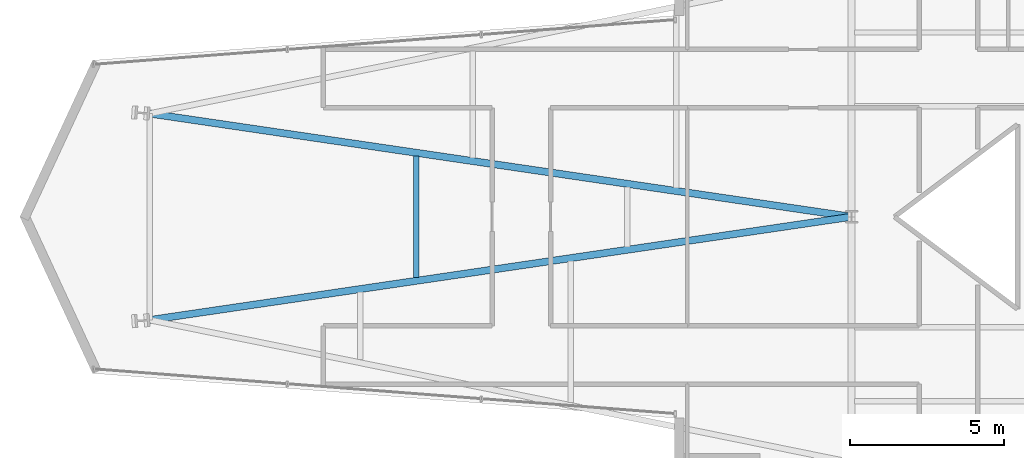
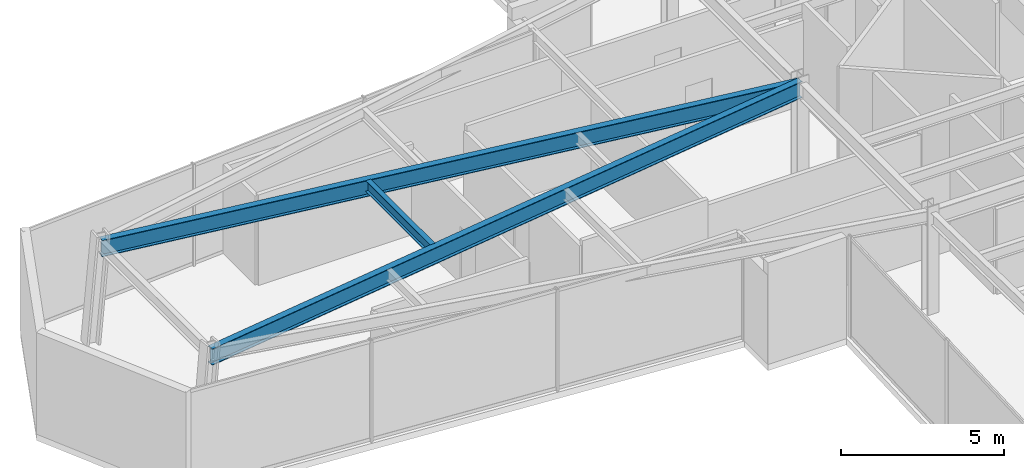
# One storey, part 7 of 28: 3 beams.
"""IFC4 building model written with IfcOpenShell, lengths in metres."""

import ifcopenshell
import ifcopenshell.guid

model = None  # the IFC model being written
_history = None  # IfcOwnerHistory: only IFC2X3 demands one
_inside = {}  # id of a spatial element -> (the spatial element, [elements in it])
_under = {}  # id of a project, library or spatial element -> (it, [spatial elements below it])
_declared = {}  # id of a project -> (the project, [libraries it declares])
_typed = {}  # id of a type object -> (the type object, [elements of that type])
_made_of = {}  # id of a material, layer set ... -> (it, [elements and type objects made of it])


def new_model(schema):
    """Start an empty IFC model of exactly this schema.

    Asked for "IFC4X3", IfcOpenShell would pick the latest addendum, in which some entities
    have other attributes; the version numbers below select the first issue.
    IFC2X3 requires an IfcOwnerHistory on every rooted entity: one is made here for all.
    """
    global model, _history
    if schema == "IFC4X3":
        model = ifcopenshell.file(schema_version=(4, 3, 0, 0))
    else:
        model = ifcopenshell.file(schema=schema)
    _inside.clear()
    _under.clear()
    _declared.clear()
    _typed.clear()
    _made_of.clear()
    _history = None
    if model.schema == "IFC2X3":
        org = make("IfcOrganization", Name="unknown")
        user = make(
            "IfcPersonAndOrganization",
            ThePerson=make("IfcPerson", FamilyName="unknown"),
            TheOrganization=org,
        )
        app = make(
            "IfcApplication",
            ApplicationDeveloper=org,
            Version="unknown",
            ApplicationFullName="unknown",
            ApplicationIdentifier="unknown",
        )
        _history = make(
            "IfcOwnerHistory",
            OwningUser=user,
            OwningApplication=app,
            ChangeAction="ADDED",
            CreationDate=0,
        )
    return model


def make(cls, **values):
    """One entity of the class cls with the attributes given. An attribute that is None is left unset."""
    return model.create_entity(
        cls, **{name: value for name, value in values.items() if value is not None}
    )


def rooted(cls, **values):
    """An entity with a GlobalId (a new one), such as an element, a storey or a relation."""
    return make(cls, GlobalId=ifcopenshell.guid.new(), OwnerHistory=_history, **values)


def si_unit(unit_type, name, prefix=None):
    """IfcSIUnit, for example si_unit("LENGTHUNIT", "METRE", prefix="MILLI")."""
    return make("IfcSIUnit", UnitType=unit_type, Prefix=prefix, Name=name)


def assignment(units):
    """IfcUnitAssignment: the units of a project."""
    return None if units is None else make("IfcUnitAssignment", Units=units)


def point(xyz):
    """IfcCartesianPoint."""
    return None if xyz is None else make("IfcCartesianPoint", Coordinates=xyz)


def direction(xyz):
    """IfcDirection."""
    return None if xyz is None else make("IfcDirection", DirectionRatios=xyz)


def frame(location, z_axis=None, x_axis=None):
    """IfcAxis2Placement3D, a coordinate frame: its origin and axes. An axis left out is left unset."""
    return make(
        "IfcAxis2Placement3D",
        Location=point(location),
        Axis=direction(z_axis),
        RefDirection=direction(x_axis),
    )


def frame_2d(location, x_axis=None):
    """IfcAxis2Placement2D, a coordinate frame in the plane: its origin and x axis."""
    return make(
        "IfcAxis2Placement2D", Location=point(location), RefDirection=direction(x_axis)
    )


def origin():
    """The frame at (0, 0, 0) with its axes left unset."""
    return frame((0.0, 0.0, 0.0))


def origin_2d():
    """The frame at (0, 0) in the plane with its x axis left unset."""
    return frame_2d((0.0, 0.0))


def place(relative_to, where):
    """IfcLocalPlacement: puts the frame where relative to a parent placement (None: the world)."""
    return make(
        "IfcLocalPlacement", PlacementRelTo=relative_to, RelativePlacement=where
    )


def context(
    kind, dimensions, precision=None, world=None, true_north=None, identifier=None
):
    """IfcGeometricRepresentationContext, for example the 3D "Model" context."""
    return make(
        "IfcGeometricRepresentationContext",
        ContextIdentifier=identifier,
        ContextType=kind,
        CoordinateSpaceDimension=dimensions,
        Precision=precision,
        WorldCoordinateSystem=world,
        TrueNorth=true_north,
    )


def subcontext(parent, identifier, kind, view, scale=None):
    """IfcGeometricRepresentationSubContext, for example "Body" below "Model"."""
    return make(
        "IfcGeometricRepresentationSubContext",
        ContextIdentifier=identifier,
        ContextType=kind,
        ParentContext=parent,
        TargetScale=scale,
        TargetView=view,
    )


def project(units=None, contexts=None):
    """IfcProject with its units and contexts."""
    return rooted(
        "IfcProject",
        Name="project",
        RepresentationContexts=contexts,
        UnitsInContext=assignment(units),
    )


def spatial(cls, under=None, at=None, **own):
    """A site, building, storey or space (cls), placed at a placement, below another one or the project."""
    s = rooted(cls, ObjectPlacement=at, **own)
    if under is not None:
        _under.setdefault(under.id(), (under, []))[1].append(s)
    return s


def profile(cls, at=None, kind="AREA", **sizes):
    """A parametric profile (cls). Its sizes go by their IFC names, for example OverallWidth=200.0."""
    return make(cls, ProfileType=kind, Position=at, **sizes)


def i_section(**sizes):
    """IfcIShapeProfileDef."""
    return profile("IfcIShapeProfileDef", **sizes)


def extrude(swept, where, along, depth):
    """IfcExtrudedAreaSolid: the profile swept, set in the frame where, extruded along a direction by depth."""
    return make(
        "IfcExtrudedAreaSolid",
        SweptArea=swept,
        Position=where,
        ExtrudedDirection=direction(along),
        Depth=depth,
    )


def shape(context_of_items, identifier, shape_type, items):
    """IfcShapeRepresentation: the items that make up one representation, for example the "Body"."""
    return make(
        "IfcShapeRepresentation",
        ContextOfItems=context_of_items,
        RepresentationIdentifier=identifier,
        RepresentationType=shape_type,
        Items=items,
    )


def material(Name=None, Category=None):
    """IfcMaterial."""
    return make("IfcMaterial", Name=Name, Category=Category)


def material_profile(
    of_material, cross_section, Name=None, Category=None, Priority=None
):
    """IfcMaterialProfile: a cross section and its material."""
    return make(
        "IfcMaterialProfile",
        Name=Name,
        Material=of_material,
        Profile=cross_section,
        Priority=Priority,
        Category=Category,
    )


def profile_set(profiles, Name=None, composite=None):
    """IfcMaterialProfileSet."""
    return make(
        "IfcMaterialProfileSet",
        Name=Name,
        MaterialProfiles=profiles,
        CompositeProfile=composite,
    )


def made_of(thing, what):
    """Note that an element or type object is made of a material, layer set ...; save() writes the relation."""
    if what is not None:
        _made_of.setdefault(what.id(), (what, []))[1].append(thing)
    return thing


def type_object(cls, material=None, **own):
    """A type object (cls), such as IfcWallType, which elements share."""
    return made_of(rooted(cls, **own), material)


def element(
    cls,
    number,
    at=None,
    inside=None,
    cuts=None,
    type_object=None,
    material=None,
    context=None,
    identifier="Body",
    shape_type=None,
    held_by="IfcProductDefinitionShape",
    body=None,
    shapes=None,
    **own,
):
    """One element of the class cls, such as IfcWall. Its Tag is "e" and its number.

    at: its placement. inside: the storey or other place that contains it. cuts: it is an
    opening in that element (IfcRelVoidsElement). A single representation is given by context,
    identifier, shape_type and body (its items); several are given by shapes. held_by: the class
    of the entity that holds the representations. save() writes the other relations.
    """
    e = rooted(cls, Tag="e%d" % number, ObjectPlacement=at, **own)
    if body is not None:
        shapes = [shape(context, identifier, shape_type, body)]
    if shapes is not None:
        e.Representation = make(held_by, Representations=shapes)
    if inside is not None:
        _inside.setdefault(inside.id(), (inside, []))[1].append(e)
    if cuts is not None:
        rooted(
            "IfcRelVoidsElement", RelatingBuildingElement=cuts, RelatedOpeningElement=e
        )
    if type_object is not None:
        _typed.setdefault(type_object.id(), (type_object, []))[1].append(e)
    return made_of(e, material)


def aggregate(whole, parts):
    """IfcRelAggregates: a whole, such as a stair, and the parts it consists of."""
    return rooted("IfcRelAggregates", RelatingObject=whole, RelatedObjects=parts)


def save(model, path):
    """Write the relations noted so far, then the file.

    IfcRelAggregates (storeys below a building ...), IfcRelContainedInSpatialStructure (elements
    in a storey), IfcRelDefinesByType, IfcRelAssociatesMaterial and IfcRelDeclares: one each for
    every whole, place, type object, material and project.
    """
    for whole, parts in _under.values():
        aggregate(whole, parts)
    for where, things in _inside.values():
        rooted(
            "IfcRelContainedInSpatialStructure",
            RelatedElements=things,
            RelatingStructure=where,
        )
    for kind, things in _typed.values():
        rooted("IfcRelDefinesByType", RelatedObjects=things, RelatingType=kind)
    for what, things in _made_of.values():
        rooted("IfcRelAssociatesMaterial", RelatedObjects=things, RelatingMaterial=what)
    for by, libraries in _declared.values():
        rooted("IfcRelDeclares", RelatingContext=by, RelatedDefinitions=libraries)
    model.write(path)


model = new_model("IFC4")

# Units and contexts
model_context = context("Model", 3, precision=1e-05, world=origin(), true_north=direction((0.0, 1.0)))
body_context = subcontext(model_context, "Body", "Model", "MODEL_VIEW")
ifc_project = project(units=[si_unit("LENGTHUNIT", "METRE"), si_unit("AREAUNIT", "SQUARE_METRE"), si_unit("VOLUMEUNIT", "CUBIC_METRE"), si_unit("PLANEANGLEUNIT", "RADIAN"), si_unit("MASSUNIT", "GRAM", prefix="KILO")], contexts=[model_context])

# Site, building, storey
site_placement = place(None, origin())
site = spatial("IfcSite", under=ifc_project, at=site_placement, CompositionType="ELEMENT")
building_placement = place(site_placement, origin())
building = spatial("IfcBuilding", under=site, at=building_placement, Name="Veymaron Broadcast Tower", CompositionType="ELEMENT")
storey_placement = place(building_placement, frame((0.0, 0.0, 45.89990234375)))
storey = spatial("IfcBuildingStorey", under=building, at=storey_placement, Name="L09", CompositionType="ELEMENT", Elevation=45.89990234375)

# Beams
ifc_material = material(Name="Structural steel ASTM A992 Gr 50", Category="steel")
ifc_material_profile_1 = material_profile(ifc_material, i_section(OverallWidth=0.22998046875, OverallDepth=0.616943359375, WebThickness=0.01318359375, FlangeThickness=0.022216796875, at=origin_2d()), Name="W610X140")
ifc_profile_set_1 = profile_set([ifc_material_profile_1], Name="Structural steel ASTM A992 Gr 50")
beam_type_1 = type_object("IfcBeamType", Name="BM-FG1", PredefinedType="BEAM", material=ifc_profile_set_1)
for number, where, z_axis, x_axis, name in (
    (1, (8.35205078125, 20.639892578125, 3.501708984375), (0.989358374471, 0.14549916448, 0.0), (-0.14549916448, 0.989358374471, 0.0), "L09 primary structural floor girder"),
    (2, (8.35205078125, 27.360107421875, 3.501708984375), (0.989358374471, -0.14549916448, 0.0), (0.14549916448, 0.989358374471, 0.0), "L09 primary structural floor girder"),
):
    element("IfcBeam", number, at=place(storey_placement, frame(where, z_axis=z_axis, x_axis=x_axis)), inside=storey, type_object=beam_type_1, Name=name, PredefinedType="BEAM", context=body_context, shape_type="SweptSolid", body=[
        extrude(i_section(OverallWidth=0.22998046875, OverallDepth=0.616943359375, WebThickness=0.01318359375, FlangeThickness=0.022216796875, at=origin_2d()), origin(), (0.0, 0.0, 1.0), 23.09375),
    ])
ifc_material_profile_2 = material_profile(ifc_material, i_section(OverallWidth=0.177978515625, OverallDepth=0.406982421875, WebThickness=0.0078125, FlangeThickness=0.0126953125, at=origin_2d()), Name="W410X60")
ifc_profile_set_2 = profile_set([ifc_material_profile_2], Name="Structural steel ASTM A992 Gr 50")
beam_type_2 = type_object("IfcBeamType", Name="BM-JS1", PredefinedType="JOIST", material=ifc_profile_set_2)
beam_placement = place(storey_placement, frame((17.0341796875, 22.016845703125, 3.606689453125), z_axis=(0.0, 1.0, 0.0), x_axis=(-1.0, 0.0, 0.0)))
element("IfcBeam", 3, at=beam_placement, inside=storey, type_object=beam_type_2, Name="L09 Arm-A secondary joist 1M", PredefinedType="JOIST", context=body_context, shape_type="SweptSolid", body=[
    extrude(i_section(OverallWidth=0.177978515625, OverallDepth=0.406982421875, WebThickness=0.0078125, FlangeThickness=0.0126953125, at=origin_2d()), origin(), (0.0, 0.0, 1.0), 3.96630859375),
])

save(model, "model.ifc")
